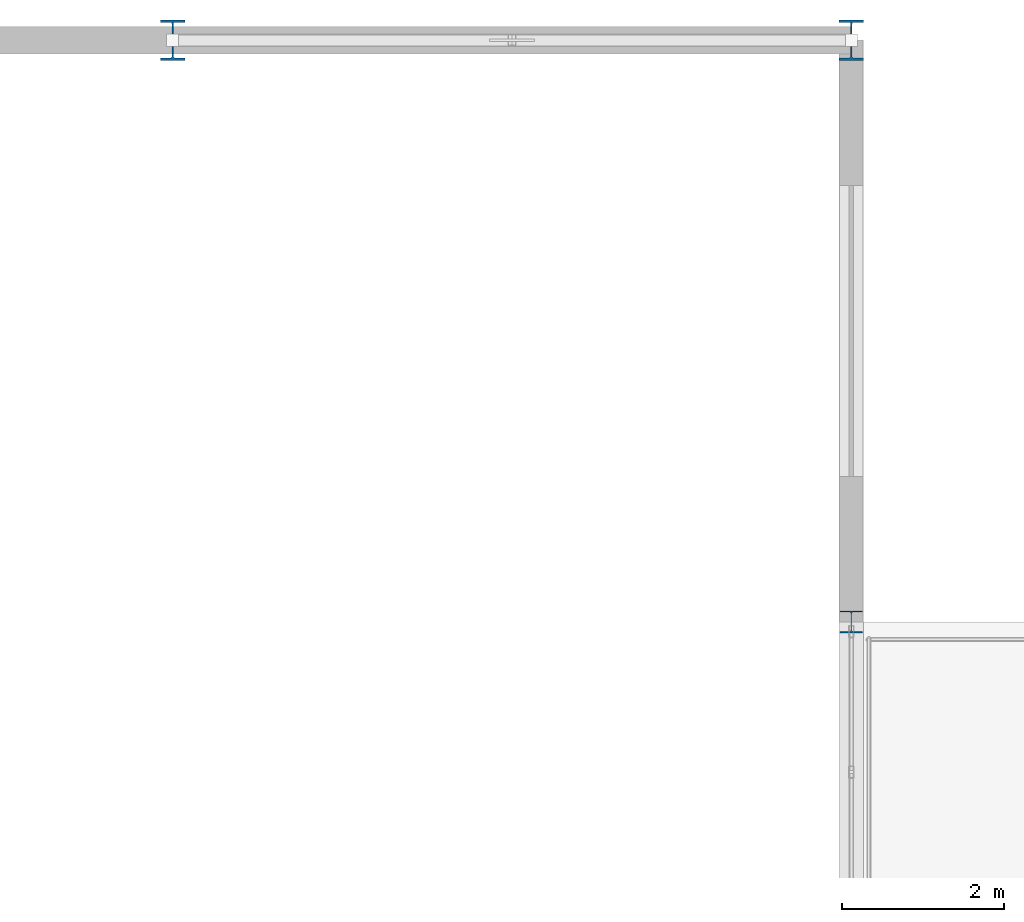
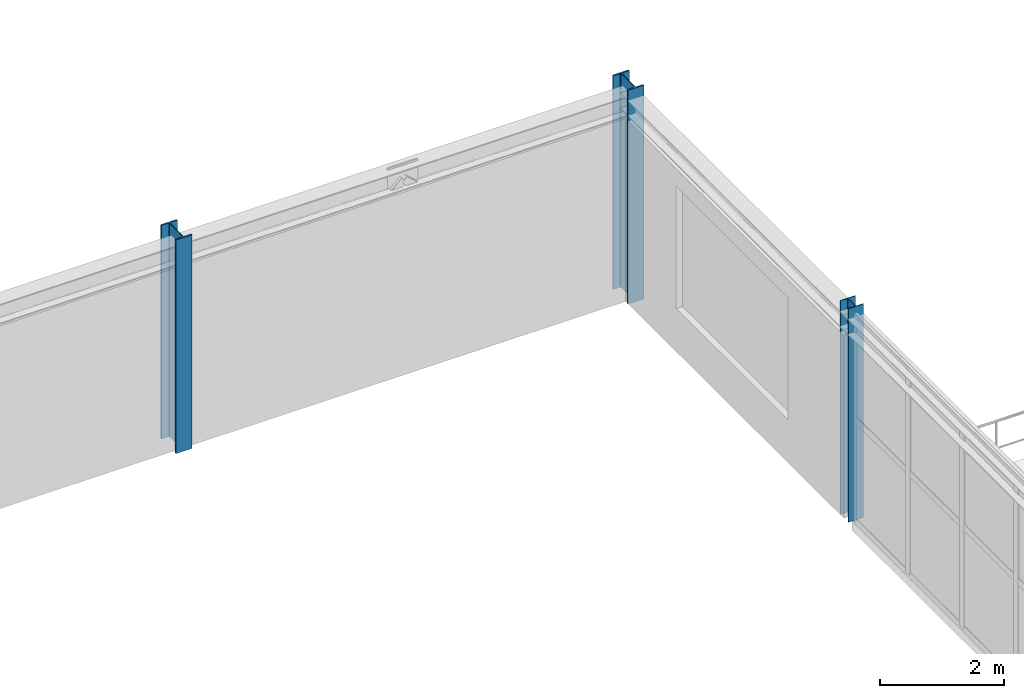
# One storey, part 18 of 73: 3 columns.
"""IFC4 building model written with IfcOpenShell, lengths in metres."""

from ifc_helpers import new_model, si_unit, derived_unit, direction, frame, origin, origin_2d, place, context, subcontext, project, spatial, i_section, extrude, material, material_profile, profile_set, type_object, element, save


model = new_model("IFC4")

# Units and contexts
model_context = context("Model", 3, precision=1e-05, world=origin(), true_north=direction((0.0, 1.0)))
body_context = subcontext(model_context, "Body", "Model", "MODEL_VIEW")
ifc_project = project(units=[si_unit("LENGTHUNIT", "METRE"), si_unit("AREAUNIT", "SQUARE_METRE"), si_unit("VOLUMEUNIT", "CUBIC_METRE"), si_unit("PLANEANGLEUNIT", "RADIAN"), si_unit("MASSUNIT", "GRAM", prefix="KILO"), derived_unit("THERMALTRANSMITTANCEUNIT", [(si_unit("MASSUNIT", "GRAM", prefix="KILO"), 1), (si_unit("TIMEUNIT", "SECOND"), -3), (si_unit("THERMODYNAMICTEMPERATUREUNIT", "KELVIN"), -1)])], contexts=[model_context])

# Site, building, storey
site_placement = place(None, origin())
site = spatial("IfcSite", under=ifc_project, at=site_placement, CompositionType="ELEMENT")
building_placement = place(site_placement, origin())
building = spatial("IfcBuilding", under=site, at=building_placement, Name="Kharveza Railside Sports Centre", CompositionType="ELEMENT")
storey_placement = place(building_placement, frame((0.0, 0.0, 8.699951171875)))
storey = spatial("IfcBuildingStorey", under=building, at=storey_placement, Name="L02", CompositionType="ELEMENT", Elevation=8.699951171875)

# Columns
ifc_material = material(Name="Steel S355J2", Category="steel")
ifc_material_profile_1 = material_profile(ifc_material, i_section(OverallWidth=0.300048828125, OverallDepth=0.5, WebThickness=0.014404296875, FlangeThickness=0.028076171875, FilletRadius=0.027099609375, at=origin_2d()), Name="HEB 500")
ifc_profile_set_1 = profile_set([ifc_material_profile_1], Name="Steel S355J2")
column_type_1 = type_object("IfcColumnType", Name="COL-S03", PredefinedType="COLUMN", material=ifc_profile_set_1)
for number, where, z_axis, x_axis, name in (
    (1, (134.39990234375, 108.0, 0.0), (0.0, 0.0, 1.0), (1.0, 0.0, 0.0), "COL-G-C03-X1344-Y1080-L02"),
    (2, (142.800048828125, 108.0, 0.0), (0.0, 0.0, 1.0), (1.0, 0.0, 0.0), "COL-G-C03-X1428-Y1080-L02"),
):
    element("IfcColumn", number, at=place(storey_placement, frame(where, z_axis=z_axis, x_axis=x_axis)), inside=storey, type_object=column_type_1, Name=name, PredefinedType="COLUMN", context=body_context, shape_type="SweptSolid", body=[
        extrude(i_section(OverallWidth=0.300048828125, OverallDepth=0.5, WebThickness=0.014404296875, FlangeThickness=0.028076171875, FilletRadius=0.027099609375, at=origin_2d()), origin(), (0.0, 0.0, 1.0), 4.199951171875),
    ])
ifc_material_profile_2 = material_profile(ifc_material, i_section(OverallWidth=0.280029296875, OverallDepth=0.27001953125, WebThickness=0.008056640625, FlangeThickness=0.012939453125, FilletRadius=0.02392578125, at=origin_2d()), Name="HEA 280")
ifc_profile_set_2 = profile_set([ifc_material_profile_2], Name="Steel S355J2")
column_type_2 = type_object("IfcColumnType", Name="COL-S13", PredefinedType="COLUMN", material=ifc_profile_set_2)
column_placement = place(storey_placement, frame((142.800048828125, 100.800048828125, 0.0), z_axis=(0.0, 0.0, 1.0), x_axis=(1.0, 0.0, 0.0)))
element("IfcColumn", 3, at=column_placement, inside=storey, type_object=column_type_2, Name="COL-G-C13-X1428-Y1008-L02", PredefinedType="COLUMN", context=body_context, shape_type="SweptSolid", body=[
    extrude(i_section(OverallWidth=0.280029296875, OverallDepth=0.27001953125, WebThickness=0.008056640625, FlangeThickness=0.012939453125, FilletRadius=0.02392578125, at=origin_2d()), origin(), (0.0, 0.0, 1.0), 4.199951171875),
])

save(model, "model.ifc")
